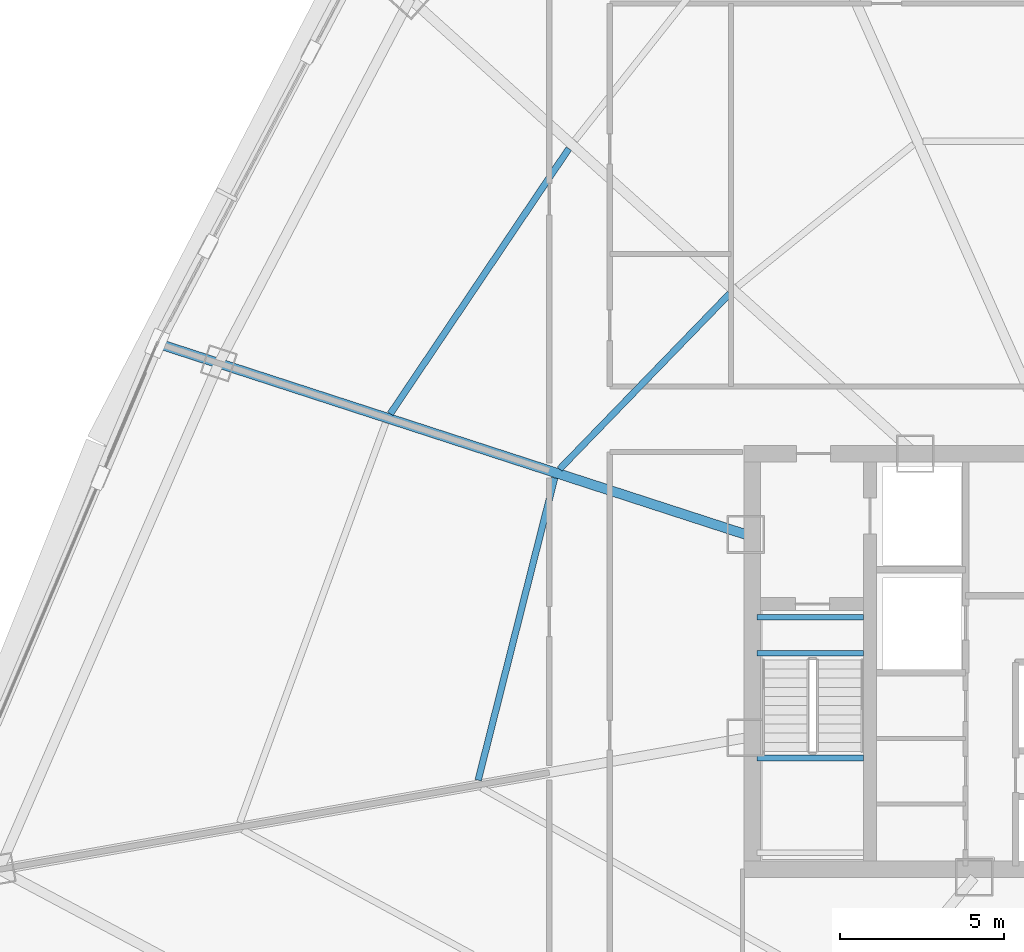
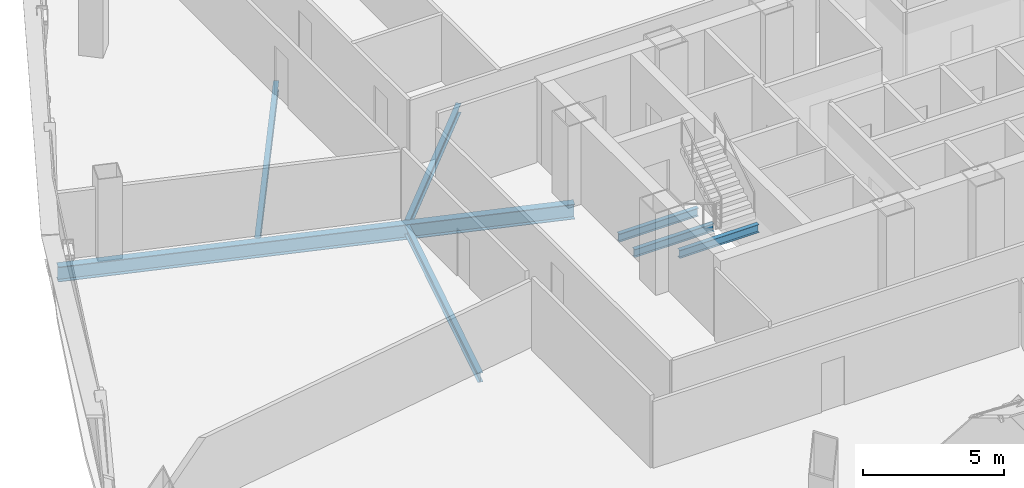
# One storey, part 9 of 37: 7 beams.
"""IFC4 building model written with IfcOpenShell, lengths in metres."""

from ifc_helpers import new_model, si_unit, direction, frame, origin, origin_2d, place, context, subcontext, project, spatial, i_section, extrude, source, transform, mapped, material, material_profile, profile_set, type_object, element, save


model = new_model("IFC4")

# Units and contexts
model_context = context("Model", 3, precision=1e-05, world=origin(), true_north=direction((0.0, 1.0)))
body_context = subcontext(model_context, "Body", "Model", "MODEL_VIEW")
ifc_project = project(units=[si_unit("LENGTHUNIT", "METRE"), si_unit("AREAUNIT", "SQUARE_METRE"), si_unit("VOLUMEUNIT", "CUBIC_METRE"), si_unit("PLANEANGLEUNIT", "RADIAN"), si_unit("MASSUNIT", "GRAM", prefix="KILO"), si_unit("THERMODYNAMICTEMPERATUREUNIT", "KELVIN"), si_unit("POWERUNIT", "WATT")], contexts=[model_context])

# Site, building, storey
site_placement = place(None, origin())
site = spatial("IfcSite", under=ifc_project, at=site_placement, CompositionType="ELEMENT")
building_placement = place(site_placement, origin())
building = spatial("IfcBuilding", under=site, at=building_placement, Name="Yunzhuo Pagoda Commons", CompositionType="ELEMENT")
storey_placement = place(building_placement, frame((0.0, 0.0, 192.360107421875)))
storey = spatial("IfcBuildingStorey", under=building, at=storey_placement, Name="L48", CompositionType="ELEMENT", Elevation=192.360107421875)

# Beams
ifc_material = material(Name="Structural steel Q355B", Category="steel")
ifc_material_profile_1 = material_profile(ifc_material, i_section(OverallWidth=0.175048828125, OverallDepth=0.35009765625, WebThickness=0.007080078125, FlangeThickness=0.010986328125, at=origin_2d()), Name="Structural steel Q355B")
ifc_profile_set_1 = profile_set([ifc_material_profile_1], Name="Structural steel Q355B")
beam_type_1 = type_object("IfcBeamType", Name="B-JS2 Joist HN 350x175x7x11", PredefinedType="JOIST", material=ifc_profile_set_1)
shared_shape_1 = source(origin(), body_context, "Body", "SweptSolid", [
    extrude(i_section(OverallWidth=0.175048828125, OverallDepth=0.35009765625, WebThickness=0.007080078125, FlangeThickness=0.010986328125, at=origin_2d()), origin(), (0.0, 0.0, 1.0), 3.25),
])
for number, where, z_axis, x_axis, name in (
    (1, (35.949951171875, 30.89990234375, 1.52490234375), (1.0, 0.0, 0.0), (0.0, 1.0, 0.0), "L48 ST1 landing support beam 54B"),
    (2, (35.949951171875, 34.10009765625, -0.375), (1.0, 0.0, 0.0), (0.0, 1.0, 0.0), "L48 ST1 landing support beam 152A"),
    (3, (35.949951171875, 35.199951171875, -0.375), (1.0, 0.0, 0.0), (0.0, 1.0, 0.0), "L48 ST1 landing support beam 152B"),
):
    element("IfcBeam", number, at=place(storey_placement, frame(where, z_axis=z_axis, x_axis=x_axis)), inside=storey, type_object=beam_type_1, Name=name, PredefinedType="JOIST", context=body_context, shape_type="MappedRepresentation", body=[
        mapped(shared_shape_1, transform((0.0, 0.0, 0.0), scale=1.0)),
    ])
ifc_material_profile_2 = material_profile(ifc_material, i_section(OverallWidth=0.199951171875, OverallDepth=0.39990234375, WebThickness=0.008056640625, FlangeThickness=0.012939453125, at=origin_2d()), Name="Structural steel Q355B")
ifc_profile_set_2 = profile_set([ifc_material_profile_2], Name="Structural steel Q355B")
beam_type_2 = type_object("IfcBeamType", Name="B-JS1 Joist HN 400x200x8x13", PredefinedType="JOIST", material=ifc_profile_set_2)
shared_shape_2 = source(origin(), body_context, "Body", "SweptSolid", [
    extrude(i_section(OverallWidth=0.199951171875, OverallDepth=0.39990234375, WebThickness=0.008056640625, FlangeThickness=0.012939453125, at=origin_2d()), origin(), (0.0, 0.0, 1.0), 9.529052734375),
])
beam_1_placement = place(storey_placement, frame((29.766845703125, 39.457763671875, -0.460205078125), z_axis=(-0.245367921097, -0.969430030119, 0.0), x_axis=(0.969430030119, -0.245367921097, 0.0)))
element("IfcBeam", 4, at=beam_1_placement, inside=storey, type_object=beam_type_2, Name="L48 composite ring joist 1.11", PredefinedType="JOIST", context=body_context, shape_type="MappedRepresentation", body=[
    mapped(shared_shape_2, transform((0.0, 0.0, 0.0), scale=1.0)),
])
shared_shape_3 = source(origin(), body_context, "Body", "SweptSolid", [
    extrude(i_section(OverallWidth=0.199951171875, OverallDepth=0.39990234375, WebThickness=0.008056640625, FlangeThickness=0.012939453125, at=origin_2d()), origin(), (0.0, 0.0, 1.0), 7.46826171875),
])
beam_2_placement = place(storey_placement, frame((35.114990234375, 45.087890625, -0.460205078125), z_axis=(-0.696070782679, -0.717973164889, 0.0), x_axis=(0.717973164889, -0.696070782679, 0.0)))
element("IfcBeam", 5, at=beam_2_placement, inside=storey, type_object=beam_type_2, Name="L48 composite ring joist 1.10", PredefinedType="JOIST", context=body_context, shape_type="MappedRepresentation", body=[
    mapped(shared_shape_3, transform((0.0, 0.0, 0.0), scale=1.0)),
])
shared_shape_4 = source(origin(), body_context, "Body", "SweptSolid", [
    extrude(i_section(OverallWidth=0.199951171875, OverallDepth=0.39990234375, WebThickness=0.008056640625, FlangeThickness=0.012939453125, at=origin_2d()), origin(), (0.0, 0.0, 1.0), 9.764892578125),
])
beam_3_placement = place(storey_placement, frame((30.198486328125, 49.5166015625, -0.460205078125), z_axis=(-0.558548425455, -0.829471914185, 0.0), x_axis=(0.829471914185, -0.558548425455, 0.0)))
element("IfcBeam", 6, at=beam_3_placement, inside=storey, type_object=beam_type_2, Name="L48 composite ring joist 2.10", PredefinedType="JOIST", context=body_context, shape_type="MappedRepresentation", body=[
    mapped(shared_shape_4, transform((0.0, 0.0, 0.0), scale=1.0)),
])
ifc_material_profile_3 = material_profile(ifc_material, i_section(OverallWidth=0.300048828125, OverallDepth=0.64990234375, WebThickness=0.012939453125, FlangeThickness=0.02197265625, at=origin_2d()), Name="Structural steel Q355B")
ifc_profile_set_3 = profile_set([ifc_material_profile_3], Name="Structural steel Q355B")
beam_type_3 = type_object("IfcBeamType", Name="B-RG2 Beam HN 650x300x13x22", PredefinedType="BEAM", material=ifc_profile_set_3)
shared_shape_5 = source(origin(), body_context, "Body", "SweptSolid", [
    extrude(i_section(OverallWidth=0.300048828125, OverallDepth=0.64990234375, WebThickness=0.012939453125, FlangeThickness=0.02197265625, at=origin_2d()), origin(), (0.0, 0.0, 1.0), 18.746337890625),
])
beam_4_placement = place(storey_placement, frame((17.771240234375, 43.52197265625, -0.585205078125), z_axis=(0.951056174336, -0.309018046814, 0.0), x_axis=(0.309018046814, 0.951056174336, 0.0)))
element("IfcBeam", 7, at=beam_4_placement, inside=storey, type_object=beam_type_3, Name="L48 radial floor girder F3C3", PredefinedType="BEAM", context=body_context, shape_type="MappedRepresentation", body=[
    mapped(shared_shape_5, transform((0.0, 0.0, 0.0), scale=1.0)),
])

save(model, "model.ifc")
